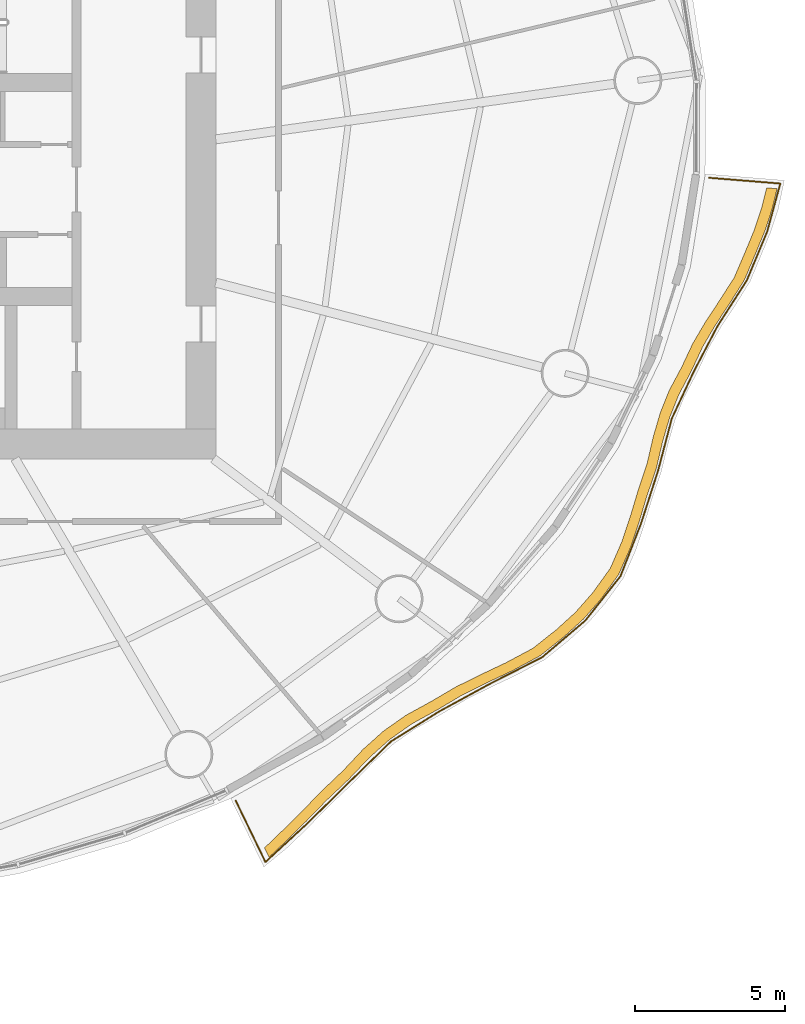
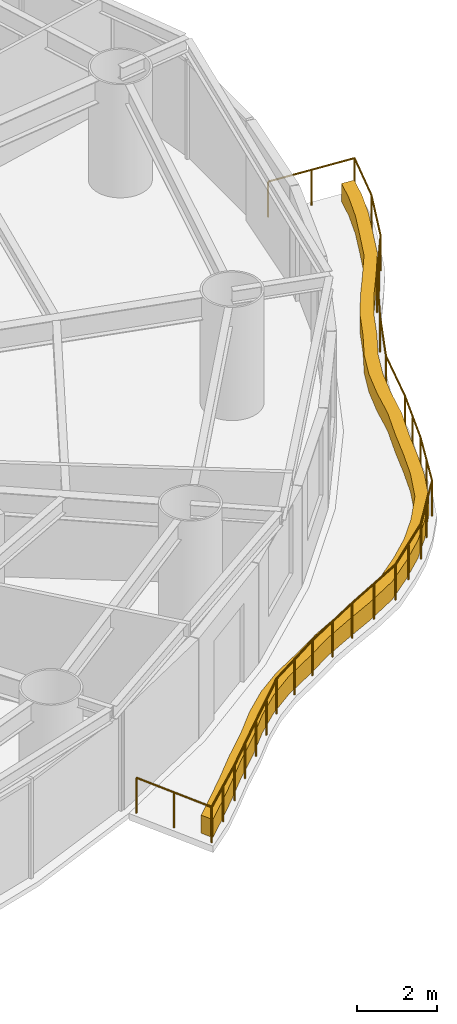
# One storey, part 14 of 16: 1 covering, 1 railing.
"""IFC4 building model written with IfcOpenShell, lengths in metres."""

import ifcopenshell
import ifcopenshell.guid

model = None  # the IFC model being written
_history = None  # IfcOwnerHistory: only IFC2X3 demands one
_inside = {}  # id of a spatial element -> (the spatial element, [elements in it])
_under = {}  # id of a project, library or spatial element -> (it, [spatial elements below it])
_declared = {}  # id of a project -> (the project, [libraries it declares])
_typed = {}  # id of a type object -> (the type object, [elements of that type])
_made_of = {}  # id of a material, layer set ... -> (it, [elements and type objects made of it])


def new_model(schema):
    """Start an empty IFC model of exactly this schema.

    Asked for "IFC4X3", IfcOpenShell would pick the latest addendum, in which some entities
    have other attributes; the version numbers below select the first issue.
    IFC2X3 requires an IfcOwnerHistory on every rooted entity: one is made here for all.
    """
    global model, _history
    if schema == "IFC4X3":
        model = ifcopenshell.file(schema_version=(4, 3, 0, 0))
    else:
        model = ifcopenshell.file(schema=schema)
    _inside.clear()
    _under.clear()
    _declared.clear()
    _typed.clear()
    _made_of.clear()
    _history = None
    if model.schema == "IFC2X3":
        org = make("IfcOrganization", Name="unknown")
        user = make(
            "IfcPersonAndOrganization",
            ThePerson=make("IfcPerson", FamilyName="unknown"),
            TheOrganization=org,
        )
        app = make(
            "IfcApplication",
            ApplicationDeveloper=org,
            Version="unknown",
            ApplicationFullName="unknown",
            ApplicationIdentifier="unknown",
        )
        _history = make(
            "IfcOwnerHistory",
            OwningUser=user,
            OwningApplication=app,
            ChangeAction="ADDED",
            CreationDate=0,
        )
    return model


def make(cls, **values):
    """One entity of the class cls with the attributes given. An attribute that is None is left unset."""
    return model.create_entity(
        cls, **{name: value for name, value in values.items() if value is not None}
    )


def rooted(cls, **values):
    """An entity with a GlobalId (a new one), such as an element, a storey or a relation."""
    return make(cls, GlobalId=ifcopenshell.guid.new(), OwnerHistory=_history, **values)


def si_unit(unit_type, name, prefix=None):
    """IfcSIUnit, for example si_unit("LENGTHUNIT", "METRE", prefix="MILLI")."""
    return make("IfcSIUnit", UnitType=unit_type, Prefix=prefix, Name=name)


def assignment(units):
    """IfcUnitAssignment: the units of a project."""
    return None if units is None else make("IfcUnitAssignment", Units=units)


def point(xyz):
    """IfcCartesianPoint."""
    return None if xyz is None else make("IfcCartesianPoint", Coordinates=xyz)


def direction(xyz):
    """IfcDirection."""
    return None if xyz is None else make("IfcDirection", DirectionRatios=xyz)


def frame(location, z_axis=None, x_axis=None):
    """IfcAxis2Placement3D, a coordinate frame: its origin and axes. An axis left out is left unset."""
    return make(
        "IfcAxis2Placement3D",
        Location=point(location),
        Axis=direction(z_axis),
        RefDirection=direction(x_axis),
    )


def frame_2d(location, x_axis=None):
    """IfcAxis2Placement2D, a coordinate frame in the plane: its origin and x axis."""
    return make(
        "IfcAxis2Placement2D", Location=point(location), RefDirection=direction(x_axis)
    )


def origin():
    """The frame at (0, 0, 0) with its axes left unset."""
    return frame((0.0, 0.0, 0.0))


def origin_2d():
    """The frame at (0, 0) in the plane with its x axis left unset."""
    return frame_2d((0.0, 0.0))


def place(relative_to, where):
    """IfcLocalPlacement: puts the frame where relative to a parent placement (None: the world)."""
    return make(
        "IfcLocalPlacement", PlacementRelTo=relative_to, RelativePlacement=where
    )


def context(
    kind, dimensions, precision=None, world=None, true_north=None, identifier=None
):
    """IfcGeometricRepresentationContext, for example the 3D "Model" context."""
    return make(
        "IfcGeometricRepresentationContext",
        ContextIdentifier=identifier,
        ContextType=kind,
        CoordinateSpaceDimension=dimensions,
        Precision=precision,
        WorldCoordinateSystem=world,
        TrueNorth=true_north,
    )


def subcontext(parent, identifier, kind, view, scale=None):
    """IfcGeometricRepresentationSubContext, for example "Body" below "Model"."""
    return make(
        "IfcGeometricRepresentationSubContext",
        ContextIdentifier=identifier,
        ContextType=kind,
        ParentContext=parent,
        TargetScale=scale,
        TargetView=view,
    )


def project(units=None, contexts=None):
    """IfcProject with its units and contexts."""
    return rooted(
        "IfcProject",
        Name="project",
        RepresentationContexts=contexts,
        UnitsInContext=assignment(units),
    )


def spatial(cls, under=None, at=None, **own):
    """A site, building, storey or space (cls), placed at a placement, below another one or the project."""
    s = rooted(cls, ObjectPlacement=at, **own)
    if under is not None:
        _under.setdefault(under.id(), (under, []))[1].append(s)
    return s


def polyline(points):
    """IfcPolyline through the points."""
    return make("IfcPolyline", Points=[point(p) for p in points])


def profile(cls, at=None, kind="AREA", **sizes):
    """A parametric profile (cls). Its sizes go by their IFC names, for example OverallWidth=200.0."""
    return make(cls, ProfileType=kind, Position=at, **sizes)


def circle(**sizes):
    """IfcCircleProfileDef."""
    return profile("IfcCircleProfileDef", **sizes)


def outline(outer, holes=None, kind="AREA"):
    """IfcArbitraryClosedProfileDef: a profile drawn as a closed curve; with holes, ...WithVoids."""
    if holes is None:
        return make("IfcArbitraryClosedProfileDef", ProfileType=kind, OuterCurve=outer)
    return make(
        "IfcArbitraryProfileDefWithVoids",
        ProfileType=kind,
        OuterCurve=outer,
        InnerCurves=holes,
    )


def extrude(swept, where, along, depth):
    """IfcExtrudedAreaSolid: the profile swept, set in the frame where, extruded along a direction by depth."""
    return make(
        "IfcExtrudedAreaSolid",
        SweptArea=swept,
        Position=where,
        ExtrudedDirection=direction(along),
        Depth=depth,
    )


def shape(context_of_items, identifier, shape_type, items):
    """IfcShapeRepresentation: the items that make up one representation, for example the "Body"."""
    return make(
        "IfcShapeRepresentation",
        ContextOfItems=context_of_items,
        RepresentationIdentifier=identifier,
        RepresentationType=shape_type,
        Items=items,
    )


def material(Name=None, Category=None):
    """IfcMaterial."""
    return make("IfcMaterial", Name=Name, Category=Category)


def made_of(thing, what):
    """Note that an element or type object is made of a material, layer set ...; save() writes the relation."""
    if what is not None:
        _made_of.setdefault(what.id(), (what, []))[1].append(thing)
    return thing


def type_object(cls, material=None, **own):
    """A type object (cls), such as IfcWallType, which elements share."""
    return made_of(rooted(cls, **own), material)


def element(
    cls,
    number,
    at=None,
    inside=None,
    cuts=None,
    type_object=None,
    material=None,
    context=None,
    identifier="Body",
    shape_type=None,
    held_by="IfcProductDefinitionShape",
    body=None,
    shapes=None,
    **own,
):
    """One element of the class cls, such as IfcWall. Its Tag is "e" and its number.

    at: its placement. inside: the storey or other place that contains it. cuts: it is an
    opening in that element (IfcRelVoidsElement). A single representation is given by context,
    identifier, shape_type and body (its items); several are given by shapes. held_by: the class
    of the entity that holds the representations. save() writes the other relations.
    """
    e = rooted(cls, Tag="e%d" % number, ObjectPlacement=at, **own)
    if body is not None:
        shapes = [shape(context, identifier, shape_type, body)]
    if shapes is not None:
        e.Representation = make(held_by, Representations=shapes)
    if inside is not None:
        _inside.setdefault(inside.id(), (inside, []))[1].append(e)
    if cuts is not None:
        rooted(
            "IfcRelVoidsElement", RelatingBuildingElement=cuts, RelatedOpeningElement=e
        )
    if type_object is not None:
        _typed.setdefault(type_object.id(), (type_object, []))[1].append(e)
    return made_of(e, material)


def aggregate(whole, parts):
    """IfcRelAggregates: a whole, such as a stair, and the parts it consists of."""
    return rooted("IfcRelAggregates", RelatingObject=whole, RelatedObjects=parts)


def save(model, path):
    """Write the relations noted so far, then the file.

    IfcRelAggregates (storeys below a building ...), IfcRelContainedInSpatialStructure (elements
    in a storey), IfcRelDefinesByType, IfcRelAssociatesMaterial and IfcRelDeclares: one each for
    every whole, place, type object, material and project.
    """
    for whole, parts in _under.values():
        aggregate(whole, parts)
    for where, things in _inside.values():
        rooted(
            "IfcRelContainedInSpatialStructure",
            RelatedElements=things,
            RelatingStructure=where,
        )
    for kind, things in _typed.values():
        rooted("IfcRelDefinesByType", RelatedObjects=things, RelatingType=kind)
    for what, things in _made_of.values():
        rooted("IfcRelAssociatesMaterial", RelatedObjects=things, RelatingMaterial=what)
    for by, libraries in _declared.values():
        rooted("IfcRelDeclares", RelatingContext=by, RelatedDefinitions=libraries)
    model.write(path)


model = new_model("IFC4")

# Units and contexts
model_context = context("Model", 3, precision=1e-05, world=origin(), true_north=direction((0.0, 1.0)))
body_context = subcontext(model_context, "Body", "Model", "MODEL_VIEW")
ifc_project = project(units=[si_unit("LENGTHUNIT", "METRE"), si_unit("AREAUNIT", "SQUARE_METRE"), si_unit("VOLUMEUNIT", "CUBIC_METRE"), si_unit("PLANEANGLEUNIT", "RADIAN"), si_unit("MASSUNIT", "GRAM", prefix="KILO")], contexts=[model_context])

# Site, building, storey
site_placement = place(None, origin())
site = spatial("IfcSite", under=ifc_project, at=site_placement, CompositionType="ELEMENT")
building_placement = place(site_placement, origin())
building = spatial("IfcBuilding", under=site, at=building_placement, Name="Vermilion Reach Broadcast Tower", CompositionType="ELEMENT")
storey_placement = place(building_placement, frame((0.0, 0.0, 88.60009765625)))
storey = spatial("IfcBuildingStorey", under=building, at=storey_placement, Name="L19", CompositionType="ELEMENT", Elevation=88.60009765625)

# Covering
ifc_material_1 = material(Name="Planting soil and greenery")
covering_type = type_object("IfcCoveringType", Name="Balcony PLANTER", PredefinedType="USERDEFINED", material=ifc_material_1)
covering_placement = place(storey_placement, origin())
element("IfcCovering", 1, at=covering_placement, inside=storey, type_object=covering_type, Name="PLANTER L19 group 4", ObjectType="PLANTER", PredefinedType="USERDEFINED", context=body_context, shape_type="SweptSolid", body=[
    extrude(outline(polyline([(7.78173828125, -22.321044921875), (8.34423828125, -21.78759765625), (9.02587890625, -21.11572265625), (9.69677734375, -20.42431640625), (10.445556640625, -19.7158203125), (11.135498046875, -18.98876953125), (11.81640625, -18.380615234375), (12.55908203125, -17.859375), (13.419189453125, -17.384521484375), (14.260498046875, -16.88623046875), (15.08837890625, -16.475830078125), (15.9287109375, -16.079345703125), (16.85205078125, -15.5791015625), (17.646728515625, -14.94482421875), (18.29345703125, -14.356201171875), (18.866943359375, -13.7041015625), (19.465576171875, -12.873779296875), (19.87353515625, -11.947509765625), (20.150146484375, -11.11572265625), (20.404052734375, -10.268798828125), (20.71875, -9.344482421875), (20.936767578125, -8.42529296875), (21.170654296875, -7.62255859375), (21.47900390625, -6.855712890625), (21.902099609375, -6.058349609375), (22.278076171875, -5.252685546875), (22.6953125, -4.540771484375), (23.1552734375, -3.8427734375), (23.673828125, -3.017822265625), (24.043701171875, -2.138916015625), (24.353759765625, -1.390625), (24.603759765625, -0.6328125), (24.76220703125, 0.028076171875), (24.413330078125, 0.056396484375), (24.258056640625, -0.57763671875), (24.008056640625, -1.33544921875), (23.697998046875, -2.083740234375), (23.33349609375, -2.937255859375), (22.82177734375, -3.73681640625), (22.36181640625, -4.43505859375), (21.944580078125, -5.146728515625), (21.57666015625, -5.92919921875), (21.163818359375, -6.70361328125), (20.85546875, -7.470458984375), (20.621337890625, -8.273193359375), (20.41455078125, -9.171630859375), (20.1123046875, -10.07568359375), (19.858154296875, -10.922607421875), (19.58154296875, -11.75439453125), (19.1865234375, -12.662353515625), (18.602294921875, -13.47509765625), (18.02880859375, -14.127197265625), (17.3818359375, -14.7158203125), (16.601806640625, -15.33447265625), (15.69384765625, -15.81982421875), (14.853515625, -16.21630859375), (14.025634765625, -16.626708984375), (13.199951171875, -17.111572265625), (12.35595703125, -17.57421875), (11.61328125, -18.095458984375), (10.9326171875, -18.70361328125), (10.259033203125, -19.419677734375), (9.52734375, -20.1181640625), (8.8564453125, -20.8095703125), (8.174560546875, -21.4814453125), (7.629150390625, -22.006103515625), (7.78173828125, -22.321044921875)])), origin(), (0.0, 0.0, 1.0), 0.5498046875),
])

# Railing
ifc_material_2 = material(Name="Stainless steel 316 balustrade", Category="steel")
railing_type = type_object("IfcRailingType", Name="Balcony guard 1100", PredefinedType="BALUSTRADE", material=ifc_material_2)
railing_placement = place(storey_placement, frame((6.66748046875, -20.4326171875, 0.0)))
element("IfcRailing", 2, at=railing_placement, inside=storey, type_object=railing_type, Name="Balcony guard L19 group 4", PredefinedType="BALUSTRADE", context=body_context, shape_type="SweptSolid", body=[
    extrude(circle(Radius=0.02490234375, at=origin_2d()), frame((0.0, 0.0, 1.0751953125), z_axis=(0.435889069196, -0.900000399642, 0.0), x_axis=(0.900000399642, 0.435889069196, 0.0)), (0.0, 0.0, 1.0), 2.275146484375),
    extrude(circle(Radius=0.02490234375, at=origin_2d()), frame((0.99169921875, -2.047607421875, 1.0751953125), z_axis=(0.735576939354, 0.677441190282, 0.0), x_axis=(-0.677441190282, 0.735576939354, 0.0)), (0.0, 0.0, 1.0), 1.910888671875),
    extrude(circle(Radius=0.02490234375, at=origin_2d()), frame((2.397216796875, -0.753173828125, 1.0751953125), z_axis=(0.712341236579, 0.701833286949, 0.0), x_axis=(-0.701833286949, 0.712341236579, 0.0)), (0.0, 0.0, 1.0), 1.998046875),
    extrude(circle(Radius=0.02490234375, at=origin_2d()), frame((3.820556640625, 0.649169921875, 1.0751953125), z_axis=(0.716713895317, 0.697367329504, 0.0), x_axis=(-0.697367329504, 0.716713895317, 0.0)), (0.0, 0.0, 1.0), 1.918212890625),
    extrude(circle(Radius=0.02490234375, at=origin_2d()), frame((5.1953125, 1.98681640625, 1.0751953125), z_axis=(0.849221206274, 0.528037255139, 0.0), x_axis=(-0.528037255139, 0.849221206274, 0.0)), (0.0, 0.0, 1.0), 1.891845703125),
    extrude(circle(Radius=0.02490234375, at=origin_2d()), frame((6.802001953125, 2.98583984375, 1.0751953125), z_axis=(0.878052261604, 0.478564756215, 0.0), x_axis=(-0.478564756215, 0.878052261604, 0.0)), (0.0, 0.0, 1.0), 1.90478515625),
    extrude(circle(Radius=0.02490234375, at=origin_2d()), frame((8.474609375, 3.8974609375, 1.0751953125), z_axis=(0.891078947656, 0.453848332644, 0.0), x_axis=(-0.453848332644, 0.891078947656, 0.0)), (0.0, 0.0, 1.0), 1.9833984375),
    extrude(circle(Radius=0.02490234375, at=origin_2d()), frame((10.241943359375, 4.797607421875, 1.0751953125), z_axis=(0.762285684116, 0.647240709312, 0.0), x_axis=(-0.647240709312, 0.762285684116, 0.0)), (0.0, 0.0, 1.0), 1.89501953125),
    extrude(circle(Radius=0.02490234375, at=origin_2d()), frame((11.6865234375, 6.024169921875, 1.0751953125), z_axis=(0.620254020744, 0.784401013354, 0.0), x_axis=(-0.784401013354, 0.620254020744, 0.0)), (0.0, 0.0, 1.0), 1.894775390625),
    extrude(circle(Radius=0.02490234375, at=origin_2d()), frame((12.86181640625, 7.510498046875, 1.0751953125), z_axis=(0.36345506174, 0.931611731407, 0.0), x_axis=(-0.931611731407, 0.36345506174, 0.0)), (0.0, 0.0, 1.0), 1.8916015625),
    extrude(circle(Radius=0.02490234375, at=origin_2d()), frame((13.54931640625, 9.272705078125, 1.0751953125), z_axis=(0.306356521393, 0.951916846053, 0.0), x_axis=(-0.951916846053, 0.306356521393, 0.0)), (0.0, 0.0, 1.0), 1.865478515625),
    extrude(circle(Radius=0.02490234375, at=origin_2d()), frame((14.120849609375, 11.048583984375, 1.0751953125), z_axis=(0.254486568193, 0.967076308576, 0.0), x_axis=(-0.967076308576, 0.254486568193, 0.0)), (0.0, 0.0, 1.0), 1.785400390625),
    extrude(circle(Radius=0.02490234375, at=origin_2d()), frame((14.5751953125, 12.775146484375, 1.0751953125), z_axis=(0.423440805782, 0.905923773835, 0.0), x_axis=(-0.905923773835, 0.423440805782, 0.0)), (0.0, 0.0, 1.0), 1.732666015625),
    extrude(circle(Radius=0.02490234375, at=origin_2d()), frame((15.308837890625, 14.3447265625, 1.0751953125), z_axis=(0.462944743094, 0.886387141627, 0.0), x_axis=(-0.886387141627, 0.462944743094, 0.0)), (0.0, 0.0, 1.0), 1.71826171875),
    extrude(circle(Radius=0.02490234375, at=origin_2d()), frame((16.104248046875, 15.86767578125, 1.0751953125), z_axis=(0.539717428591, 0.841846243251, 0.0), x_axis=(-0.841846243251, 0.539717428591, 0.0)), (0.0, 0.0, 1.0), 1.815673828125),
    extrude(circle(Radius=0.02490234375, at=origin_2d()), frame((17.084228515625, 17.396240234375, 1.0751953125), z_axis=(0.384840721764, 0.922983000316, 0.0), x_axis=(-0.922983000316, 0.384840721764, 0.0)), (0.0, 0.0, 1.0), 1.769287109375),
    extrude(circle(Radius=0.02490234375, at=origin_2d()), frame((17.76513671875, 19.029296875, 1.0751953125), z_axis=(0.263465526214, 0.964668811819, 0.0), x_axis=(-0.964668811819, 0.263465526214, 0.0)), (0.0, 0.0, 1.0), 1.661376953125),
    extrude(circle(Radius=0.02490234375, at=origin_2d()), frame((18.202880859375, 20.632080078125, 1.0751953125), z_axis=(-0.996739059806, 0.080692296141, 0.0), x_axis=(-0.080692296141, -0.996739059806, 0.0)), (0.0, 0.0, 1.0), 2.38720703125),
    extrude(circle(Radius=0.02490234375, at=origin_2d()), origin(), (0.0, 0.0, 1.0), 1.050048828125),
    extrude(circle(Radius=0.02490234375, at=origin_2d()), frame((0.495849609375, -1.02392578125, 0.0)), (0.0, 0.0, 1.0), 1.050048828125),
    extrude(circle(Radius=0.02490234375, at=origin_2d()), frame((0.99169921875, -2.047607421875, 0.0)), (0.0, 0.0, 1.0), 1.050048828125),
    extrude(circle(Radius=0.02490234375, at=origin_2d()), frame((1.6943359375, -1.400390625, 0.0)), (0.0, 0.0, 1.0), 1.050048828125),
    extrude(circle(Radius=0.02490234375, at=origin_2d()), frame((2.397216796875, -0.753173828125, 0.0)), (0.0, 0.0, 1.0), 1.050048828125),
    extrude(circle(Radius=0.02490234375, at=origin_2d()), frame((3.10888671875, -0.052001953125, 0.0)), (0.0, 0.0, 1.0), 1.050048828125),
    extrude(circle(Radius=0.02490234375, at=origin_2d()), frame((3.820556640625, 0.649169921875, 0.0)), (0.0, 0.0, 1.0), 1.050048828125),
    extrude(circle(Radius=0.02490234375, at=origin_2d()), frame((4.5078125, 1.31787109375, 0.0)), (0.0, 0.0, 1.0), 1.050048828125),
    extrude(circle(Radius=0.02490234375, at=origin_2d()), frame((5.1953125, 1.98681640625, 0.0)), (0.0, 0.0, 1.0), 1.050048828125),
    extrude(circle(Radius=0.02490234375, at=origin_2d()), frame((5.99853515625, 2.486328125, 0.0)), (0.0, 0.0, 1.0), 1.050048828125),
    extrude(circle(Radius=0.02490234375, at=origin_2d()), frame((6.802001953125, 2.98583984375, 0.0)), (0.0, 0.0, 1.0), 1.050048828125),
    extrude(circle(Radius=0.02490234375, at=origin_2d()), frame((7.63818359375, 3.441650390625, 0.0)), (0.0, 0.0, 1.0), 1.050048828125),
    extrude(circle(Radius=0.02490234375, at=origin_2d()), frame((8.474609375, 3.8974609375, 0.0)), (0.0, 0.0, 1.0), 1.050048828125),
    extrude(circle(Radius=0.02490234375, at=origin_2d()), frame((9.3583984375, 4.34765625, 0.0)), (0.0, 0.0, 1.0), 1.050048828125),
    extrude(circle(Radius=0.02490234375, at=origin_2d()), frame((10.241943359375, 4.797607421875, 0.0)), (0.0, 0.0, 1.0), 1.050048828125),
    extrude(circle(Radius=0.02490234375, at=origin_2d()), frame((10.96435546875, 5.410888671875, 0.0)), (0.0, 0.0, 1.0), 1.050048828125),
    extrude(circle(Radius=0.02490234375, at=origin_2d()), frame((11.6865234375, 6.024169921875, 0.0)), (0.0, 0.0, 1.0), 1.050048828125),
    extrude(circle(Radius=0.02490234375, at=origin_2d()), frame((12.274169921875, 6.767333984375, 0.0)), (0.0, 0.0, 1.0), 1.050048828125),
    extrude(circle(Radius=0.02490234375, at=origin_2d()), frame((12.86181640625, 7.510498046875, 0.0)), (0.0, 0.0, 1.0), 1.050048828125),
    extrude(circle(Radius=0.02490234375, at=origin_2d()), frame((13.20556640625, 8.3916015625, 0.0)), (0.0, 0.0, 1.0), 1.050048828125),
    extrude(circle(Radius=0.02490234375, at=origin_2d()), frame((13.54931640625, 9.272705078125, 0.0)), (0.0, 0.0, 1.0), 1.050048828125),
    extrude(circle(Radius=0.02490234375, at=origin_2d()), frame((13.8349609375, 10.16064453125, 0.0)), (0.0, 0.0, 1.0), 1.050048828125),
    extrude(circle(Radius=0.02490234375, at=origin_2d()), frame((14.120849609375, 11.048583984375, 0.0)), (0.0, 0.0, 1.0), 1.050048828125),
    extrude(circle(Radius=0.02490234375, at=origin_2d()), frame((14.5751953125, 12.775146484375, 0.0)), (0.0, 0.0, 1.0), 1.050048828125),
    extrude(circle(Radius=0.02490234375, at=origin_2d()), frame((15.308837890625, 14.3447265625, 0.0)), (0.0, 0.0, 1.0), 1.050048828125),
    extrude(circle(Radius=0.02490234375, at=origin_2d()), frame((16.104248046875, 15.86767578125, 0.0)), (0.0, 0.0, 1.0), 1.050048828125),
    extrude(circle(Radius=0.02490234375, at=origin_2d()), frame((16.59423828125, 16.6318359375, 0.0)), (0.0, 0.0, 1.0), 1.050048828125),
    extrude(circle(Radius=0.02490234375, at=origin_2d()), frame((17.084228515625, 17.396240234375, 0.0)), (0.0, 0.0, 1.0), 1.050048828125),
    extrude(circle(Radius=0.02490234375, at=origin_2d()), frame((17.76513671875, 19.029296875, 0.0)), (0.0, 0.0, 1.0), 1.050048828125),
    extrude(circle(Radius=0.02490234375, at=origin_2d()), frame((18.202880859375, 20.632080078125, 0.0)), (0.0, 0.0, 1.0), 1.050048828125),
    extrude(circle(Radius=0.02490234375, at=origin_2d()), frame((17.01318359375, 20.728515625, 0.0)), (0.0, 0.0, 1.0), 1.050048828125),
    extrude(circle(Radius=0.02490234375, at=origin_2d()), frame((15.823486328125, 20.82470703125, 0.0)), (0.0, 0.0, 1.0), 1.050048828125),
])

save(model, "model.ifc")
